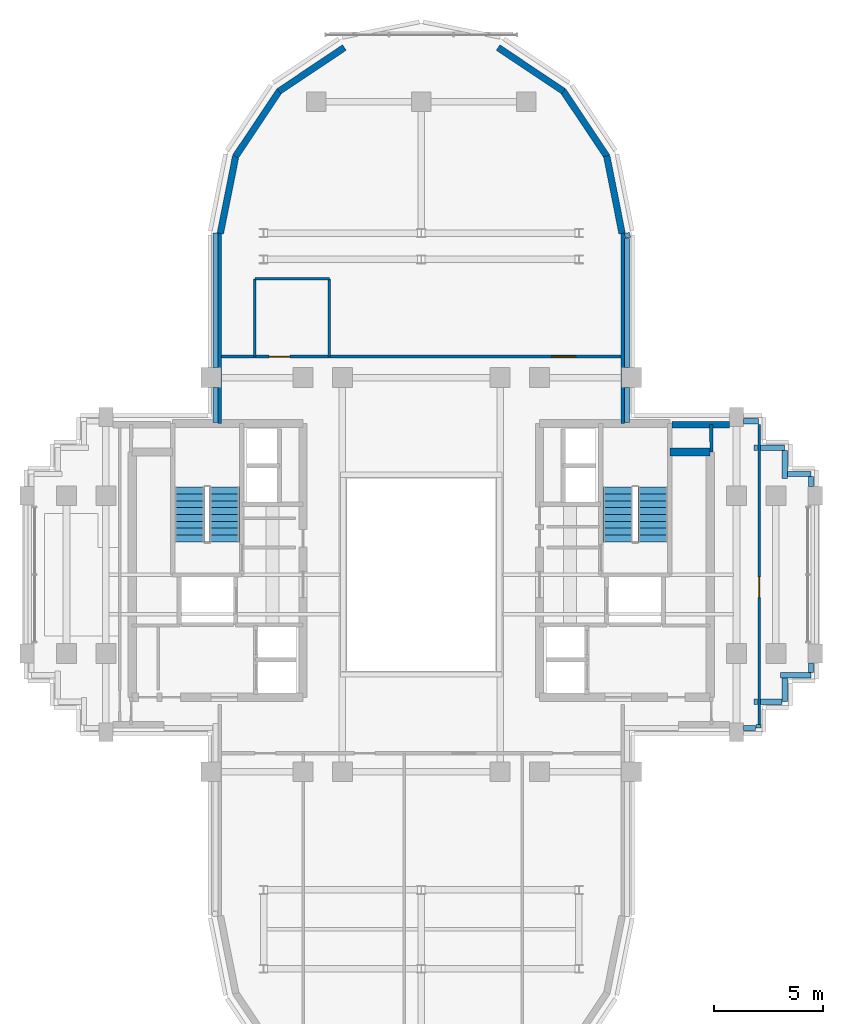
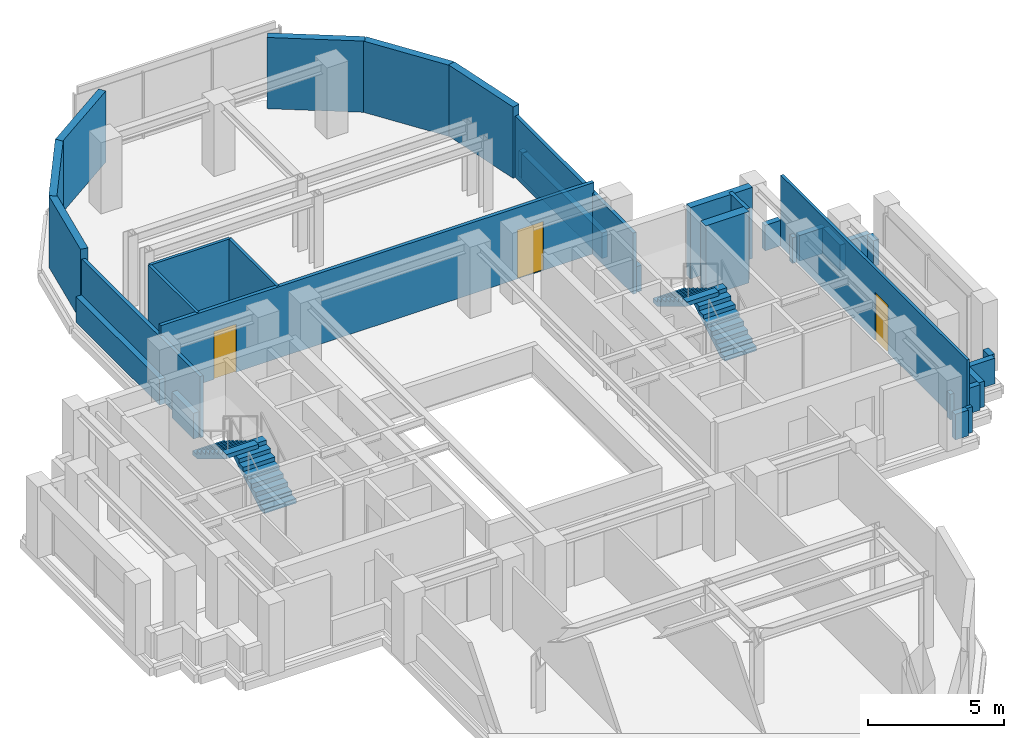
# One storey, part 8 of 11: 34 walls, 4 stair flights, 3 doors, 3 openings, 2 elements without a shape of their own.
"""IFC4 building model written with IfcOpenShell, lengths in metres."""

from ifc_helpers import new_model, si_unit, direction, frame, frame_2d, origin, place, context, subcontext, project, spatial, polyline, rectangle, outline, extrude, source, transform, mapped, material, layer, layer_set, type_object, element, fill, aggregate, save


model = new_model("IFC4")

# Units and contexts
model_context = context("Model", 3, precision=1e-05, world=origin(), true_north=direction((0.0, 1.0)))
body_context = subcontext(model_context, "Body", "Model", "MODEL_VIEW")
ifc_project = project(units=[si_unit("LENGTHUNIT", "METRE"), si_unit("AREAUNIT", "SQUARE_METRE"), si_unit("VOLUMEUNIT", "CUBIC_METRE"), si_unit("PLANEANGLEUNIT", "RADIAN"), si_unit("MASSUNIT", "GRAM", prefix="KILO")], contexts=[model_context])

# Site, building, storey
site_placement = place(None, origin())
site = spatial("IfcSite", under=ifc_project, at=site_placement, CompositionType="ELEMENT")
building_placement = place(site_placement, origin())
building = spatial("IfcBuilding", under=site, at=building_placement, Name="Keilestroom Media Tower", CompositionType="ELEMENT")
storey_placement = place(building_placement, frame((0.0, 0.0, 160.39990234375)))
storey = spatial("IfcBuildingStorey", under=building, at=storey_placement, Name="L43", CompositionType="ELEMENT", Elevation=160.39990234375)

# Walls
ifc_material_1 = material(Name="Precast concrete C40/50", Category="concrete")
ifc_layer_1 = layer(ifc_material_1, 0.300048828125)
ifc_layer_set_1 = layer_set([ifc_layer_1], Name="Precast concrete C40/50")
wall_type_1 = type_object("IfcWallType", Name="Exterior-Masonry-Spandrel-Wall-300", PredefinedType="SOLIDWALL", material=ifc_layer_set_1)
wall_1_placement = place(storey_placement, frame((11.447998046875, 6.85009765625, 0.0), z_axis=(0.0, 0.0, 1.0), x_axis=(1.0, 0.0, 0.0)))
element("IfcWall", 1, at=wall_1_placement, inside=storey, type_object=wall_type_1, Name="L43 Flank Masonry Wall EWL-L43-NE-1", PredefinedType="SOLIDWALL", context=body_context, shape_type="SweptSolid", body=[
    extrude(rectangle(XDim=2.635009765625, YDim=0.300048828125, at=frame_2d((1.3173828125, 0.0))), origin(), (0.0, 0.0, 1.0), 3.2001953125),
])
for number, where, z_axis, x_axis, name in (
    (2, (9.1748046875, 15.585205078125, 0.0), (0.0, 0.0, 1.0), (-0.195114232679, 0.980780523974, 0.0), "L43 Lobe Facet Precast Frame Wall 01"),
    (3, (8.48193359375, 19.097412109375, 0.0), (0.0, 0.0, 1.0), (-0.555574187116, 0.831466970246, 0.0), "L43 Lobe Facet Precast Frame Wall 02"),
):
    element("IfcWall", number, at=place(storey_placement, frame(where, z_axis=z_axis, x_axis=x_axis)), inside=storey, type_object=wall_type_1, Name=name, PredefinedType="SOLIDWALL", context=body_context, shape_type="SweptSolid", body=[
        extrude(rectangle(XDim=3.608642578125, YDim=0.300048828125, at=frame_2d((1.80419921875, 0.0))), origin(), (0.0, 0.0, 1.0), 3.2001953125),
    ])
for number, where, z_axis, x_axis, name in (
    (4, (6.497802734375, 22.0771484375, 0.0), (0.0, 0.0, 1.0), (-0.8314749531, 0.555562239868, 0.0), "L43 Lobe Facet Precast Frame Wall 03"),
    (5, (-3.510009765625, 24.073486328125, 0.0), (0.0, 0.0, 1.0), (-0.8314749531, -0.555562239868, 0.0), "L43 Lobe Facet Precast Frame Wall 04"),
):
    element("IfcWall", number, at=place(storey_placement, frame(where, z_axis=z_axis, x_axis=x_axis)), inside=storey, type_object=wall_type_1, Name=name, PredefinedType="SOLIDWALL", context=body_context, shape_type="SweptSolid", body=[
        extrude(rectangle(XDim=3.59326171875, YDim=0.300048828125, at=frame_2d((1.796630859375, 0.0))), origin(), (0.0, 0.0, 1.0), 3.2001953125),
    ])
for number, where, z_axis, x_axis, name in (
    (6, (-6.47705078125, 22.097900390625, 0.0), (0.0, 0.0, 1.0), (-0.555574187116, -0.831466970246, 0.0), "L43 Lobe Facet Precast Frame Wall 05"),
    (7, (-8.470703125, 19.12451171875, 0.0), (0.0, 0.0, 1.0), (-0.195114232679, -0.980780523974, 0.0), "L43 Lobe Facet Precast Frame Wall 06"),
):
    element("IfcWall", number, at=place(storey_placement, frame(where, z_axis=z_axis, x_axis=x_axis)), inside=storey, type_object=wall_type_1, Name=name, PredefinedType="SOLIDWALL", context=body_context, shape_type="SweptSolid", body=[
        extrude(rectangle(XDim=3.608642578125, YDim=0.300048828125, at=frame_2d((1.80419921875, 0.0))), origin(), (0.0, 0.0, 1.0), 3.2001953125),
    ])
ifc_material_2 = material(Name="Gypsum Plasterboard & Steel Stud", Category="steel")
ifc_layer_2 = layer(ifc_material_2, 0.1201171875)
ifc_layer_set_2 = layer_set([ifc_layer_2], Name="Gypsum Plasterboard & Steel Stud")
wall_type_2 = type_object("IfcWallType", Name="Interior-Partition-Wall-120", PredefinedType="PARTITIONING", material=ifc_layer_set_2)
wall_2_placement = place(storey_placement, frame((-7.60009765625, 13.510009765625, 0.0), z_axis=(0.0, 0.0, 1.0), x_axis=(1.0, 0.0, 0.0)))
element("IfcWall", 8, at=wall_2_placement, inside=storey, type_object=wall_type_2, Name="L43 Interior Wall WP-L43-NL-WC-N", PredefinedType="PARTITIONING", context=body_context, shape_type="SweptSolid", body=[
    extrude(rectangle(XDim=3.400146484375, YDim=0.1201171875, at=frame_2d((1.7001953125, 0.0))), origin(), (0.0, 0.0, 1.0), 3.2001953125),
])
for number, where, z_axis, x_axis, name in (
    (9, (-7.60009765625, 9.9599609375, 0.0), (0.0, 0.0, 1.0), (0.0, 1.0, 0.0), "L43 Interior Wall WP-L43-NL-WC-W"),
    (10, (-4.199951171875, 9.9599609375, 0.0), (0.0, 0.0, 1.0), (0.0, 1.0, 0.0), "L43 Interior Wall WP-L43-NL-WC-E"),
):
    element("IfcWall", number, at=place(storey_placement, frame(where, z_axis=z_axis, x_axis=x_axis)), inside=storey, type_object=wall_type_2, Name=name, PredefinedType="PARTITIONING", context=body_context, shape_type="SweptSolid", body=[
        extrude(rectangle(XDim=3.550048828125, YDim=0.1201171875, at=frame_2d((1.77490234375, 0.0))), origin(), (0.0, 0.0, 1.0), 3.2001953125),
    ])

# Wall, opening, door
wall_3_placement = place(storey_placement, frame((15.429931640625, -6.85009765625, 0.0), z_axis=(0.0, 0.0, 1.0), x_axis=(0.0, 1.0, 0.0)))
wall_3 = element("IfcWall", 11, at=wall_3_placement, inside=storey, type_object=wall_type_2, Name="L43 Interior Wall WP-L43-EA-V", PredefinedType="PARTITIONING", context=body_context, shape_type="SweptSolid", body=[
    extrude(rectangle(XDim=13.7001953125, YDim=0.1201171875, at=frame_2d((6.85009765625, 0.0))), origin(), (0.0, 0.0, 1.0), 3.2001953125),
])
opening_1_placement = place(wall_3_placement, frame((5.800048828125, 0.0, 0.0)))
opening_1 = element("IfcOpeningElement", 12, at=opening_1_placement, cuts=wall_3, Name="Opening DI-03", PredefinedType="OPENING", context=body_context, shape_type="SweptSolid", body=[
    extrude(rectangle(XDim=0.949951171875, YDim=2.14990234375, at=frame_2d((0.47509765625, 1.074951171875))), frame((0.0, 0.070068359375, 0.0), z_axis=(0.0, -1.0, 0.0), x_axis=(1.0, 0.0, 0.0)), (0.0, 0.0, 1.0), 0.14013671875),
])
ifc_material_3 = material(Name="Lacquered European Oak Leaf", Category="wood")
door_type_1 = type_object("IfcDoorType", Name="Interior-Room-And-Suite-Door-DI-03", OperationType="NOTDEFINED", PredefinedType="DOOR", material=ifc_material_3)
shared_shape_1 = source(origin(), body_context, "Body", "SweptSolid", [
    extrude(rectangle(XDim=0.949951171875, YDim=2.14990234375, at=frame_2d((0.47509765625, 1.074951171875))), frame((0.0, 0.02490234375, 0.0), z_axis=(0.0, -1.0, 0.0), x_axis=(1.0, 0.0, 0.0)), (0.0, 0.0, 1.0), 0.050048828125),
])
door_1_placement = place(opening_1_placement, origin())
door_1 = element("IfcDoor", 13, at=door_1_placement, inside=storey, type_object=door_type_1, Name="L43 Interior Door DI-L43-DEA-E", OperationType="SINGLE_SWING_RIGHT", OverallHeight=2.14990234375, OverallWidth=0.949951171875, PredefinedType="DOOR", context=body_context, shape_type="MappedRepresentation", body=[
    mapped(shared_shape_1, transform((0.0, 0.0, 0.0), x_axis=(1.0, 0.0, 0.0), y_axis=(0.0, 1.0, 0.0), z_axis=(0.0, 0.0, 1.0), scale=1.0)),
])
fill(opening_1, door_1)

# Wall, openings, doors
ifc_layer_3 = layer(ifc_material_2, 0.14990234375)
ifc_layer_set_3 = layer_set([ifc_layer_3], Name="Gypsum Plasterboard & Steel Stud")
wall_type_3 = type_object("IfcWallType", Name="Interior-Partition-Wall-150", PredefinedType="PARTITIONING", material=ifc_layer_set_3)
wall_4_placement = place(storey_placement, frame((-9.199951171875, 9.9599609375, 0.0), z_axis=(0.0, 0.0, 1.0), x_axis=(1.0, 0.0, 0.0)))
wall_4 = element("IfcWall", 14, at=wall_4_placement, inside=storey, type_object=wall_type_3, Name="L43 Interior Wall WP-L43-NL-BASE", PredefinedType="PARTITIONING", context=body_context, shape_type="SweptSolid", body=[
    extrude(rectangle(XDim=18.39990234375, YDim=0.14990234375, at=frame_2d((9.199951171875, 0.0))), origin(), (0.0, 0.0, 1.0), 3.2001953125),
])
opening_2_placement = place(wall_4_placement, frame((2.25, 0.0, 0.0)))
opening_2 = element("IfcOpeningElement", 15, at=opening_2_placement, cuts=wall_4, Name="Opening DI-03", PredefinedType="OPENING", context=body_context, shape_type="SweptSolid", body=[
    extrude(rectangle(XDim=0.949951171875, YDim=2.14990234375, at=frame_2d((0.47509765625, 1.074951171875))), frame((0.0, 0.0849609375, 0.0), z_axis=(0.0, -1.0, 0.0), x_axis=(1.0, 0.0, 0.0)), (0.0, 0.0, 1.0), 0.169921875),
])
opening_3_placement = place(wall_4_placement, frame((15.14990234375, 0.0, 0.0)))
opening_3 = element("IfcOpeningElement", 16, at=opening_3_placement, cuts=wall_4, Name="Opening DI-04", PredefinedType="OPENING", context=body_context, shape_type="SweptSolid", body=[
    extrude(rectangle(XDim=1.10009765625, YDim=2.199951171875, at=frame_2d((0.550048828125, 1.10009765625))), frame((0.0, 0.0849609375, 0.0), z_axis=(0.0, -1.0, 0.0), x_axis=(1.0, 0.0, 0.0)), (0.0, 0.0, 1.0), 0.169921875),
])
door_2_placement = place(opening_2_placement, origin())
door_2 = element("IfcDoor", 17, at=door_2_placement, inside=storey, type_object=door_type_1, Name="L43 Interior Door DI-L43-DNL-WC", OperationType="SINGLE_SWING_RIGHT", OverallHeight=2.14990234375, OverallWidth=0.949951171875, PredefinedType="DOOR", context=body_context, shape_type="MappedRepresentation", body=[
    mapped(shared_shape_1, transform((0.0, 0.0, 0.0), x_axis=(1.0, 0.0, 0.0), y_axis=(0.0, 1.0, 0.0), z_axis=(0.0, 0.0, 1.0), scale=1.0)),
])
fill(opening_2, door_2)
ifc_material_4 = material(Name="Acoustic Glazed Aluminium Leaf", Category="aluminium")
door_type_2 = type_object("IfcDoorType", Name="Interior-Room-And-Suite-Door-DI-04", OperationType="NOTDEFINED", PredefinedType="DOOR", material=ifc_material_4)
shared_shape_2 = source(origin(), body_context, "Body", "SweptSolid", [
    extrude(rectangle(XDim=1.10009765625, YDim=2.199951171875, at=frame_2d((0.550048828125, 1.10009765625))), frame((0.0, 0.02490234375, 0.0), z_axis=(0.0, -1.0, 0.0), x_axis=(1.0, 0.0, 0.0)), (0.0, 0.0, 1.0), 0.050048828125),
])
door_3_placement = place(opening_3_placement, origin())
door_3 = element("IfcDoor", 18, at=door_3_placement, inside=storey, type_object=door_type_2, Name="L43 Interior Door DI-L43-DNL-HALL", OperationType="SINGLE_SWING_LEFT", OverallHeight=2.199951171875, OverallWidth=1.10009765625, PredefinedType="DOOR", context=body_context, shape_type="MappedRepresentation", body=[
    mapped(shared_shape_2, transform((0.0, 0.0, 0.0), x_axis=(1.0, 0.0, 0.0), y_axis=(0.0, 1.0, 0.0), z_axis=(0.0, 0.0, 1.0), scale=1.0)),
])
fill(opening_3, door_3)

# Walls
for number, where, z_axis, x_axis, name in (
    (19, (-9.199951171875, 6.89990234375, 0.0), (0.0, 0.0, 1.0), (0.0, 1.0, 0.0), "L43 Interior Wall WP-L43-NL-CHKW"),
    (20, (9.199951171875, 6.89990234375, 0.0), (0.0, 0.0, 1.0), (0.0, 1.0, 0.0), "L43 Interior Wall WP-L43-NL-CHKE"),
):
    element("IfcWall", number, at=place(storey_placement, frame(where, z_axis=z_axis, x_axis=x_axis)), inside=storey, type_object=wall_type_3, Name=name, PredefinedType="PARTITIONING", context=body_context, shape_type="SweptSolid", body=[
        extrude(rectangle(XDim=8.780029296875, YDim=0.14990234375, at=frame_2d((4.39013671875, 0.0))), origin(), (0.0, 0.0, 1.0), 2.75),
    ])
wall_5_placement = place(storey_placement, frame((13.260009765625, 5.60009765625, 0.0), z_axis=(0.0, 0.0, 1.0), x_axis=(-0.016013571389, 0.999871774545, 0.0)))
element("IfcWall", 21, at=wall_5_placement, inside=storey, type_object=wall_type_3, Name="L43 Interior Wall WP-L43-EA-ENTN", PredefinedType="PARTITIONING", context=body_context, shape_type="SweptSolid", body=[
    extrude(rectangle(XDim=1.250244140625, YDim=0.14990234375, at=frame_2d((0.625, 0.0))), origin(), (0.0, 0.0, 1.0), 3.2001953125),
])
ifc_material_5 = material(Name="Concrete C55/67", Category="concrete")
ifc_layer_4 = layer(ifc_material_5, 0.3798828125)
ifc_layer_set_4 = layer_set([ifc_layer_4], Name="Concrete C55/67")
wall_type_4 = type_object("IfcWallType", Name="Reinforced-Concrete-Core-Shear-Wall-380", PredefinedType="SHEAR", material=ifc_layer_set_4)
wall_6_placement = place(storey_placement, frame((11.35595703125, 5.60009765625, 0.0), z_axis=(0.0, 0.0, 1.0), x_axis=(1.0, 0.0, 0.0)))
element("IfcWall", 22, at=wall_6_placement, inside=storey, type_object=wall_type_4, Name="L43 Core Shear Wall WL-L43-CNE-N", PredefinedType="SHEAR", context=body_context, shape_type="SweptSolid", body=[
    extrude(rectangle(XDim=1.843994140625, YDim=0.3798828125, at=frame_2d((0.921875, 0.0))), origin(), (0.0, 0.0, 1.0), 3.2001953125),
])
ifc_layer_5 = layer(ifc_material_1, 0.239990234375)
ifc_layer_set_5 = layer_set([ifc_layer_5], Name="Precast concrete C40/50")
wall_type_5 = type_object("IfcWallType", Name="Roof-And-Terrace-Parapet-Wall-240", PredefinedType="PARAPET", material=ifc_layer_set_5)
wall_7_placement = place(storey_placement, frame((17.800048828125, -4.60009765625, 0.0), z_axis=(0.0, 0.0, 1.0), x_axis=(-1.0, 0.0, 0.0)))
element("IfcWall", 23, at=wall_7_placement, inside=storey, type_object=wall_type_5, Name="L43 Perimeter Edge Parapet Wall 01", PredefinedType="PARAPET", context=body_context, shape_type="SweptSolid", body=[
    extrude(rectangle(XDim=1.400146484375, YDim=0.239990234375, at=frame_2d((0.7001953125, 0.0))), origin(), (0.0, 0.0, 1.0), 1.150146484375),
])
wall_8_placement = place(storey_placement, frame((16.60009765625, -4.722900390625, 0.0), z_axis=(0.0, 0.0, 1.0), x_axis=(0.0, -1.0, 0.0)))
element("IfcWall", 24, at=wall_8_placement, inside=storey, type_object=wall_type_5, Name="L43 Perimeter Edge Parapet Wall 02", PredefinedType="PARAPET", context=body_context, shape_type="SweptSolid", body=[
    extrude(rectangle(XDim=1.0771484375, YDim=0.239990234375, at=frame_2d((0.53857421875, 0.0))), origin(), (0.0, 0.0, 1.0), 1.150146484375),
])
wall_9_placement = place(storey_placement, frame((16.47705078125, -5.800048828125, 0.0), z_axis=(0.0, 0.0, 1.0), x_axis=(-1.0, 0.0, 0.0)))
element("IfcWall", 25, at=wall_9_placement, inside=storey, type_object=wall_type_5, Name="L43 Perimeter Edge Parapet Wall 03", PredefinedType="PARAPET", context=body_context, shape_type="SweptSolid", body=[
    extrude(rectangle(XDim=0.984130859375, YDim=0.239990234375, at=frame_2d((0.4921875, 0.0))), origin(), (0.0, 0.0, 1.0), 1.150146484375),
])
wall_10_placement = place(storey_placement, frame((15.366943359375, -5.800048828125, 0.0), z_axis=(0.0, 0.0, 1.0), x_axis=(-1.0, 0.0, 0.0)))
element("IfcWall", 26, at=wall_10_placement, inside=storey, type_object=wall_type_5, Name="L43 Perimeter Edge Parapet Wall 04", PredefinedType="PARAPET", context=body_context, shape_type="SweptSolid", body=[
    extrude(rectangle(XDim=0.1669921875, YDim=0.239990234375, at=frame_2d((0.08349609375, 0.0))), origin(), (0.0, 0.0, 1.0), 1.150146484375),
])
wall_11_placement = place(storey_placement, frame((15.39990234375, -6.85302734375, 0.0), z_axis=(0.0, 0.0, 1.0), x_axis=(0.0, -1.0, 0.0)))
element("IfcWall", 27, at=wall_11_placement, inside=storey, type_object=wall_type_5, Name="L43 Perimeter Edge Parapet Wall 05", PredefinedType="PARAPET", context=body_context, shape_type="SweptSolid", body=[
    extrude(rectangle(XDim=0.14697265625, YDim=0.239990234375, at=frame_2d((0.073486328125, 0.0))), origin(), (0.0, 0.0, 1.0), 1.150146484375),
])
wall_12_placement = place(storey_placement, frame((15.277099609375, -7.0, 0.0), z_axis=(0.0, 0.0, 1.0), x_axis=(-1.0, 0.0, 0.0)))
element("IfcWall", 28, at=wall_12_placement, inside=storey, type_object=wall_type_5, Name="L43 Perimeter Edge Parapet Wall 06", PredefinedType="PARAPET", context=body_context, shape_type="SweptSolid", body=[
    extrude(rectangle(XDim=0.549072265625, YDim=0.239990234375, at=frame_2d((0.2744140625, 0.0))), origin(), (0.0, 0.0, 1.0), 1.150146484375),
])
wall_13_placement = place(storey_placement, frame((-9.39990234375, 6.952880859375, 0.0), z_axis=(0.0, 0.0, 1.0), x_axis=(0.0, 1.0, 0.0)))
element("IfcWall", 29, at=wall_13_placement, inside=storey, type_object=wall_type_5, Name="L43 Perimeter Edge Parapet Wall 26", PredefinedType="PARAPET", context=body_context, shape_type="SweptSolid", body=[
    extrude(rectangle(XDim=1.59423828125, YDim=0.239990234375, at=frame_2d((0.797119140625, 0.0))), origin(), (0.0, 0.0, 1.0), 1.150146484375),
])
wall_14_placement = place(storey_placement, frame((-9.39990234375, 9.452880859375, 0.0), z_axis=(0.0, 0.0, 1.0), x_axis=(0.0, 1.0, 0.0)))
element("IfcWall", 30, at=wall_14_placement, inside=storey, type_object=wall_type_5, Name="L43 Perimeter Edge Parapet Wall 27", PredefinedType="PARAPET", context=body_context, shape_type="SweptSolid", body=[
    extrude(rectangle(XDim=6.14990234375, YDim=0.239990234375, at=frame_2d((3.074951171875, 0.0))), origin(), (0.0, 0.0, 1.0), 1.150146484375),
])
wall_15_placement = place(storey_placement, frame((9.395263671875, 15.604248046875, 0.0), z_axis=(0.0, 0.0, 1.0), x_axis=(0.194652052864, -0.980872355771, 0.0)))
element("IfcWall", 31, at=wall_15_placement, inside=storey, type_object=wall_type_5, Name="L43 Perimeter Edge Parapet Wall 28", PredefinedType="PARAPET", context=body_context, shape_type="SweptSolid", body=[
    extrude(rectangle(XDim=0.224609375, YDim=0.239990234375, at=frame_2d((0.1123046875, 0.0))), origin(), (0.0, 0.0, 1.0), 1.150146484375),
])
wall_16_placement = place(storey_placement, frame((9.39990234375, 15.357666015625, 0.0), z_axis=(0.0, 0.0, 1.0), x_axis=(0.0, -1.0, 0.0)))
element("IfcWall", 32, at=wall_16_placement, inside=storey, type_object=wall_type_5, Name="L43 Perimeter Edge Parapet Wall 29", PredefinedType="PARAPET", context=body_context, shape_type="SweptSolid", body=[
    extrude(rectangle(XDim=5.90478515625, YDim=0.239990234375, at=frame_2d((2.952392578125, 0.0))), origin(), (0.0, 0.0, 1.0), 1.150146484375),
])
wall_17_placement = place(storey_placement, frame((9.39990234375, 8.547119140625, 0.0), z_axis=(0.0, 0.0, 1.0), x_axis=(0.0, -1.0, 0.0)))
element("IfcWall", 33, at=wall_17_placement, inside=storey, type_object=wall_type_5, Name="L43 Perimeter Edge Parapet Wall 30", PredefinedType="PARAPET", context=body_context, shape_type="SweptSolid", body=[
    extrude(rectangle(XDim=1.59423828125, YDim=0.239990234375, at=frame_2d((0.797119140625, 0.0))), origin(), (0.0, 0.0, 1.0), 1.150146484375),
])
wall_18_placement = place(storey_placement, frame((14.72802734375, 7.0, 0.0), z_axis=(0.0, 0.0, 1.0), x_axis=(1.0, 0.0, 0.0)))
element("IfcWall", 34, at=wall_18_placement, inside=storey, type_object=wall_type_5, Name="L43 Perimeter Edge Parapet Wall 31", PredefinedType="PARAPET", context=body_context, shape_type="SweptSolid", body=[
    extrude(rectangle(XDim=0.671875, YDim=0.239990234375, at=frame_2d((0.3359375, 0.0))), origin(), (0.0, 0.0, 1.0), 1.150146484375),
])
wall_19_placement = place(storey_placement, frame((15.199951171875, 5.800048828125, 0.0), z_axis=(0.0, 0.0, 1.0), x_axis=(1.0, 0.0, 0.0)))
element("IfcWall", 35, at=wall_19_placement, inside=storey, type_object=wall_type_5, Name="L43 Perimeter Edge Parapet Wall 32", PredefinedType="PARAPET", context=body_context, shape_type="SweptSolid", body=[
    extrude(rectangle(XDim=0.1669921875, YDim=0.239990234375, at=frame_2d((0.08349609375, 0.0))), origin(), (0.0, 0.0, 1.0), 1.150146484375),
])
wall_20_placement = place(storey_placement, frame((15.492919921875, 5.800048828125, 0.0), z_axis=(0.0, 0.0, 1.0), x_axis=(1.0, 0.0, 0.0)))
element("IfcWall", 36, at=wall_20_placement, inside=storey, type_object=wall_type_5, Name="L43 Perimeter Edge Parapet Wall 33", PredefinedType="PARAPET", context=body_context, shape_type="SweptSolid", body=[
    extrude(rectangle(XDim=1.107177734375, YDim=0.239990234375, at=frame_2d((0.5537109375, 0.0))), origin(), (0.0, 0.0, 1.0), 1.150146484375),
])
wall_21_placement = place(storey_placement, frame((16.60009765625, 5.677001953125, 0.0), z_axis=(0.0, 0.0, 1.0), x_axis=(0.0, -1.0, 0.0)))
element("IfcWall", 37, at=wall_21_placement, inside=storey, type_object=wall_type_5, Name="L43 Perimeter Edge Parapet Wall 34", PredefinedType="PARAPET", context=body_context, shape_type="SweptSolid", body=[
    extrude(rectangle(XDim=1.277099609375, YDim=0.239990234375, at=frame_2d((0.638671875, 0.0))), origin(), (0.0, 0.0, 1.0), 1.150146484375),
])
wall_22_placement = place(storey_placement, frame((16.722900390625, 4.60009765625, 0.0), z_axis=(0.0, 0.0, 1.0), x_axis=(1.0, 0.0, 0.0)))
element("IfcWall", 38, at=wall_22_placement, inside=storey, type_object=wall_type_5, Name="L43 Perimeter Edge Parapet Wall 35", PredefinedType="PARAPET", context=body_context, shape_type="SweptSolid", body=[
    extrude(rectangle(XDim=1.0771484375, YDim=0.239990234375, at=frame_2d((0.53857421875, 0.0))), origin(), (0.0, 0.0, 1.0), 1.150146484375),
])
for number, where, z_axis, x_axis, name in (
    (39, (17.800048828125, 4.47705078125, 0.0), (0.0, 0.0, 1.0), (0.0, -1.0, 0.0), "L43 Perimeter Edge Parapet Wall 36"),
    (40, (17.800048828125, -4.028076171875, 0.0), (0.0, 0.0, 1.0), (0.0, -1.0, 0.0), "L43 Perimeter Edge Parapet Wall 37"),
):
    element("IfcWall", number, at=place(storey_placement, frame(where, z_axis=z_axis, x_axis=x_axis)), inside=storey, type_object=wall_type_5, Name=name, PredefinedType="PARAPET", context=body_context, shape_type="SweptSolid", body=[
        extrude(rectangle(XDim=0.448974609375, YDim=0.239990234375, at=frame_2d((0.224609375, 0.0))), origin(), (0.0, 0.0, 1.0), 1.150146484375),
    ])

# Stair, stair flights
ifc_material_6 = material(Name="Concrete C45/55", Category="concrete")
stair_type = type_object("IfcStairType", Name="Enclosed-Dog-Leg-Stair-ST-CORE", PredefinedType="HALF_TURN_STAIR", material=ifc_material_6)
stair_1_placement = place(storey_placement, origin())
stair_1 = element("IfcStair", 41, at=stair_1_placement, inside=storey, type_object=stair_type, Name="L43 West Core Escape Stair ST-1", PredefinedType="HALF_TURN_STAIR")
stair_flight_type = type_object("IfcStairFlightType", Name="Precast-Concrete-Stair-Flight-Core-160", PredefinedType="STRAIGHT", material=ifc_material_1)
stair_flight_1_placement = place(storey_placement, frame((-8.97998046875, 1.5, 0.0), z_axis=(0.0, 0.0, 1.0), x_axis=(0.0, 1.0, 0.0)))
stair_flight_1 = element("IfcStairFlight", 42, at=stair_flight_1_placement, type_object=stair_flight_type, Name="ST-1 flight 1", NumberOfRisers=9, NumberOfTreads=8, PredefinedType="STRAIGHT", RiserHeight=0.188888889, TreadLength=0.312, context=body_context, shape_type="SweptSolid", body=[
    extrude(outline(polyline([(0.0, 0.0), (0.0, 0.18896484375), (0.31201171875, 0.18896484375), (0.31201171875, 0.377685546875), (0.6240234375, 0.377685546875), (0.6240234375, 0.566650390625), (0.93603515625, 0.566650390625), (0.93603515625, 0.755615234375), (1.248046875, 0.755615234375), (1.248046875, 0.9443359375), (1.56005859375, 0.9443359375), (1.56005859375, 1.13330078125), (1.8720703125, 1.13330078125), (1.8720703125, 1.322265625), (2.18408203125, 1.322265625), (2.18408203125, 1.51123046875), (2.49609375, 1.51123046875), (2.49609375, 1.699951171875), (2.49609375, 1.32421875), (0.308837890625, 0.0), (0.0, 0.0)])), frame((0.0, 0.68017578125, 0.0), z_axis=(0.0, -1.0, 0.0), x_axis=(1.0, 0.0, 0.0)), (0.0, 0.0, 1.0), 1.360107421875),
])
stair_flight_2_placement = place(storey_placement, frame((-10.580078125, 3.99609375, 1.7001953125), z_axis=(0.0, 0.0, 1.0), x_axis=(0.0, -1.0, 0.0)))
stair_flight_2 = element("IfcStairFlight", 43, at=stair_flight_2_placement, type_object=stair_flight_type, Name="ST-1 flight 2", NumberOfRisers=9, NumberOfTreads=8, PredefinedType="STRAIGHT", RiserHeight=0.188888889, TreadLength=0.312, context=body_context, shape_type="SweptSolid", body=[
    extrude(outline(polyline([(0.0, 0.0), (0.0, 0.18896484375), (0.31201171875, 0.18896484375), (0.31201171875, 0.377685546875), (0.6240234375, 0.377685546875), (0.6240234375, 0.566650390625), (0.93603515625, 0.566650390625), (0.93603515625, 0.755615234375), (1.248046875, 0.755615234375), (1.248046875, 0.9443359375), (1.56005859375, 0.9443359375), (1.56005859375, 1.13330078125), (1.8720703125, 1.13330078125), (1.8720703125, 1.322265625), (2.18408203125, 1.322265625), (2.18408203125, 1.51123046875), (2.49609375, 1.51123046875), (2.49609375, 1.699951171875), (2.49609375, 1.32421875), (0.308837890625, 0.0), (0.0, 0.0)])), frame((0.0, 0.68017578125, 0.0), z_axis=(0.0, -1.0, 0.0), x_axis=(1.0, 0.0, 0.0)), (0.0, 0.0, 1.0), 1.360107421875),
])
aggregate(stair_1, [stair_flight_1, stair_flight_2])

stair_2_placement = place(storey_placement, origin())
stair_2 = element("IfcStair", 44, at=stair_2_placement, inside=storey, type_object=stair_type, Name="L43 East Core Escape Stair ST-2", PredefinedType="HALF_TURN_STAIR")
stair_flight_3_placement = place(storey_placement, frame((10.580078125, 1.5, 0.0), z_axis=(0.0, 0.0, 1.0), x_axis=(0.0, 1.0, 0.0)))
stair_flight_3 = element("IfcStairFlight", 45, at=stair_flight_3_placement, type_object=stair_flight_type, Name="ST-2 flight 1", NumberOfRisers=9, NumberOfTreads=8, PredefinedType="STRAIGHT", RiserHeight=0.188888889, TreadLength=0.312, context=body_context, shape_type="SweptSolid", body=[
    extrude(outline(polyline([(0.0, 0.0), (0.0, 0.18896484375), (0.31201171875, 0.18896484375), (0.31201171875, 0.377685546875), (0.6240234375, 0.377685546875), (0.6240234375, 0.566650390625), (0.93603515625, 0.566650390625), (0.93603515625, 0.755615234375), (1.248046875, 0.755615234375), (1.248046875, 0.9443359375), (1.56005859375, 0.9443359375), (1.56005859375, 1.13330078125), (1.8720703125, 1.13330078125), (1.8720703125, 1.322265625), (2.18408203125, 1.322265625), (2.18408203125, 1.51123046875), (2.49609375, 1.51123046875), (2.49609375, 1.699951171875), (2.49609375, 1.32421875), (0.308837890625, 0.0), (0.0, 0.0)])), frame((0.0, 0.68017578125, 0.0), z_axis=(0.0, -1.0, 0.0), x_axis=(1.0, 0.0, 0.0)), (0.0, 0.0, 1.0), 1.360107421875),
])
stair_flight_4_placement = place(storey_placement, frame((8.97998046875, 3.99609375, 1.7001953125), z_axis=(0.0, 0.0, 1.0), x_axis=(0.0, -1.0, 0.0)))
stair_flight_4 = element("IfcStairFlight", 46, at=stair_flight_4_placement, type_object=stair_flight_type, Name="ST-2 flight 2", NumberOfRisers=9, NumberOfTreads=8, PredefinedType="STRAIGHT", RiserHeight=0.188888889, TreadLength=0.312, context=body_context, shape_type="SweptSolid", body=[
    extrude(outline(polyline([(0.0, 0.0), (0.0, 0.18896484375), (0.31201171875, 0.18896484375), (0.31201171875, 0.377685546875), (0.6240234375, 0.377685546875), (0.6240234375, 0.566650390625), (0.93603515625, 0.566650390625), (0.93603515625, 0.755615234375), (1.248046875, 0.755615234375), (1.248046875, 0.9443359375), (1.56005859375, 0.9443359375), (1.56005859375, 1.13330078125), (1.8720703125, 1.13330078125), (1.8720703125, 1.322265625), (2.18408203125, 1.322265625), (2.18408203125, 1.51123046875), (2.49609375, 1.51123046875), (2.49609375, 1.699951171875), (2.49609375, 1.32421875), (0.308837890625, 0.0), (0.0, 0.0)])), frame((0.0, 0.68017578125, 0.0), z_axis=(0.0, -1.0, 0.0), x_axis=(1.0, 0.0, 0.0)), (0.0, 0.0, 1.0), 1.360107421875),
])
aggregate(stair_2, [stair_flight_3, stair_flight_4])

save(model, "model.ifc")
